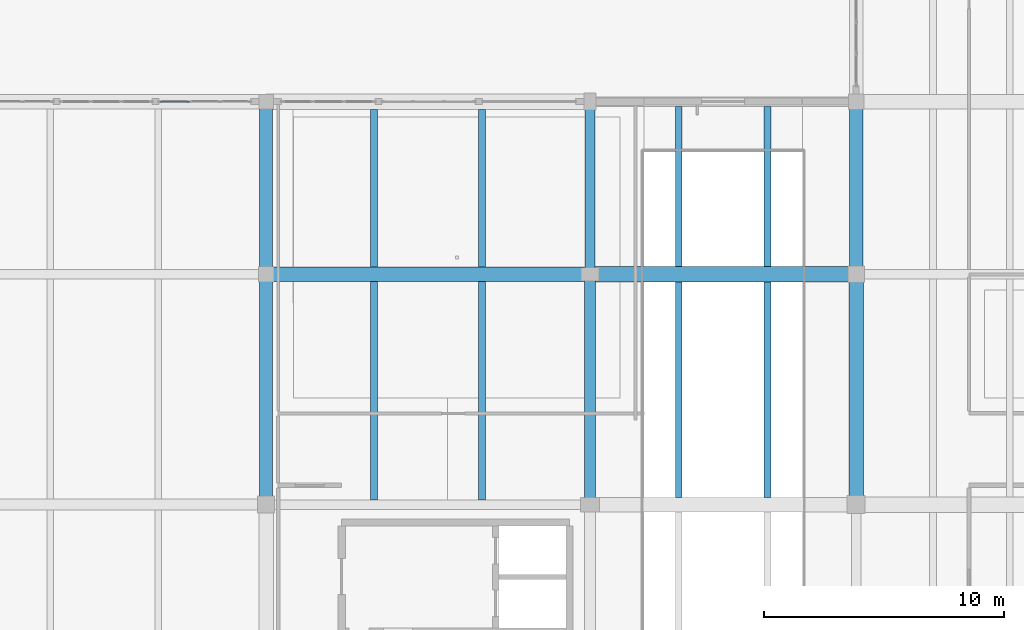
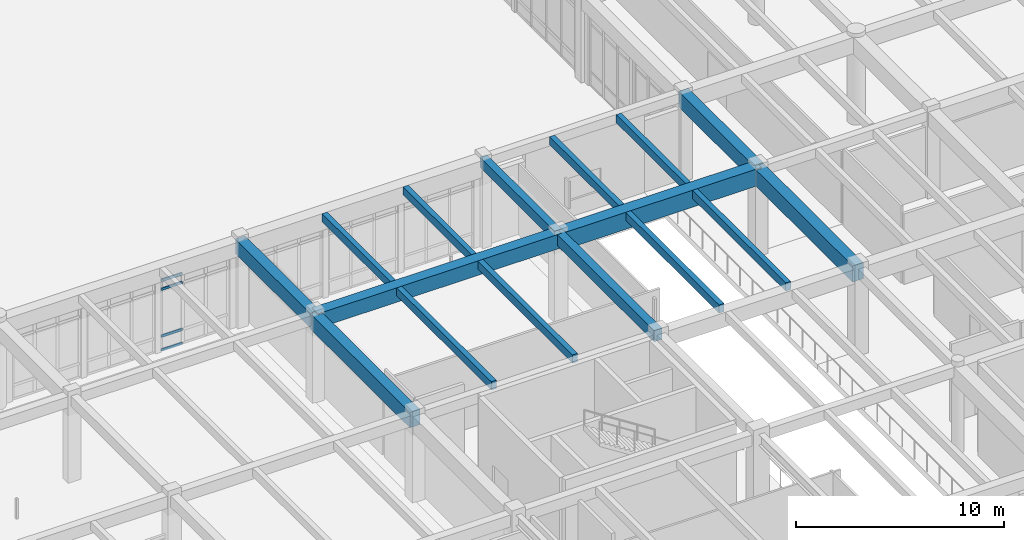
# One storey, part 24 of 138: 16 beams, 4 members, 1 element without a shape of its own.
"""IFC4 building model written with IfcOpenShell, lengths in metres."""

from ifc_helpers import new_model, si_unit, direction, frame, origin, origin_2d, place, context, subcontext, project, spatial, rectangle, hollow_rectangle, extrude, material, layer, layer_set, material_profile, profile_set, type_object, element, aggregate, save


model = new_model("IFC4")

# Units and contexts
model_context = context("Model", 3, precision=1e-05, world=origin(), true_north=direction((0.0, 1.0)))
body_context = subcontext(model_context, "Body", "Model", "MODEL_VIEW")
ifc_project = project(units=[si_unit("LENGTHUNIT", "METRE"), si_unit("AREAUNIT", "SQUARE_METRE"), si_unit("VOLUMEUNIT", "CUBIC_METRE"), si_unit("PLANEANGLEUNIT", "RADIAN"), si_unit("MASSUNIT", "GRAM", prefix="KILO")], contexts=[model_context])

# Site, building, storey
site_placement = place(None, origin())
site = spatial("IfcSite", under=ifc_project, at=site_placement, CompositionType="ELEMENT")
building_placement = place(site_placement, origin())
building = spatial("IfcBuilding", under=site, at=building_placement, Name="Fikremerkos Civic Library", CompositionType="ELEMENT")
storey_placement = place(building_placement, origin())
storey = spatial("IfcBuildingStorey", under=building, at=storey_placement, Name="L00", CompositionType="ELEMENT", Elevation=0.0)

# Curtain wall, members
ifc_material_1 = material(Name="Anodized aluminium Frame", Category="aluminium")
ifc_layer = layer(ifc_material_1, 0.159912109375, Name="Anodized aluminium Frame")
ifc_layer_set = layer_set([ifc_layer], Name="Anodized aluminium Frame")
curtain_wall_type = type_object("IfcCurtainWallType", Name="Unitised curtain wall CW-01 3600x3600", PredefinedType="USERDEFINED", material=ifc_layer_set)
curtain_wall_placement = place(storey_placement, origin())
curtain_wall = element("IfcCurtainWall", 1, at=curtain_wall_placement, inside=storey, type_object=curtain_wall_type, Name="Unitised curtain wall CW-01 L00 #19", ObjectType="UNITISED CURTAIN WALL", PredefinedType="USERDEFINED")
ifc_material_profile_1 = material_profile(ifc_material_1, hollow_rectangle(XDim=0.070068359375, YDim=0.14990234375, WallThickness=0.00439453125, at=origin_2d()), Name="ALU 150x70x4.5")
ifc_profile_set_1 = profile_set([ifc_material_profile_1], Name="Anodized aluminium Frame")
member_type = type_object("IfcMemberType", Name="Curtain transom CWT-01 ALU 150x70x4.5", PredefinedType="USERDEFINED", material=ifc_profile_set_1)
member_1_placement = place(storey_placement, frame((95.799072265625, 48.0, 0.034912109375), z_axis=(1.0, 0.0, 0.0), x_axis=(0.0, 1.0, 0.0)))
member_1 = element("IfcMember", 2, at=member_1_placement, type_object=member_type, Name="CW-01 transom 1.1", ObjectType="TRANSOM", PredefinedType="USERDEFINED", context=body_context, shape_type="SweptSolid", body=[
    extrude(hollow_rectangle(XDim=0.070068359375, YDim=0.14990234375, WallThickness=0.00439453125, at=origin_2d()), origin(), (0.0, 0.0, 1.0), 1.175048828125),
])
member_2_placement = place(storey_placement, frame((95.799072265625, 48.0, 0.85009765625), z_axis=(1.0, 0.0, 0.0), x_axis=(0.0, 1.0, 0.0)))
member_2 = element("IfcMember", 3, at=member_2_placement, type_object=member_type, Name="CW-01 transom 1.2", ObjectType="TRANSOM", PredefinedType="USERDEFINED", context=body_context, shape_type="SweptSolid", body=[
    extrude(hollow_rectangle(XDim=0.070068359375, YDim=0.14990234375, WallThickness=0.00439453125, at=origin_2d()), origin(), (0.0, 0.0, 1.0), 1.175048828125),
])
member_3_placement = place(storey_placement, frame((95.799072265625, 48.0, 3.60009765625), z_axis=(1.0, 0.0, 0.0), x_axis=(0.0, 1.0, 0.0)))
member_3 = element("IfcMember", 4, at=member_3_placement, type_object=member_type, Name="CW-01 transom 1.3", ObjectType="TRANSOM", PredefinedType="USERDEFINED", context=body_context, shape_type="SweptSolid", body=[
    extrude(hollow_rectangle(XDim=0.070068359375, YDim=0.14990234375, WallThickness=0.00439453125, at=origin_2d()), origin(), (0.0, 0.0, 1.0), 1.175048828125),
])
member_4_placement = place(storey_placement, frame((95.799072265625, 48.0, 4.114990234375), z_axis=(1.0, 0.0, 0.0), x_axis=(0.0, 1.0, 0.0)))
member_4 = element("IfcMember", 5, at=member_4_placement, type_object=member_type, Name="CW-01 transom 1.4", ObjectType="TRANSOM", PredefinedType="USERDEFINED", context=body_context, shape_type="SweptSolid", body=[
    extrude(hollow_rectangle(XDim=0.070068359375, YDim=0.14990234375, WallThickness=0.00439453125, at=origin_2d()), origin(), (0.0, 0.0, 1.0), 1.175048828125),
])
aggregate(curtain_wall, [member_1, member_2, member_3, member_4])

# Beams
ifc_material_2 = material(Name="Concrete C40/50", Category="concrete")
ifc_material_profile_2 = material_profile(ifc_material_2, rectangle(XDim=0.280029296875, YDim=0.47998046875, at=origin_2d()), Name="RC 280x480")
ifc_profile_set_2 = profile_set([ifc_material_profile_2], Name="Concrete C40/50")
beam_type_1 = type_object("IfcBeamType", Name="Floor joist JS-04 RC 280x480", PredefinedType="JOIST", material=ifc_profile_set_2)
for number, where, z_axis, x_axis, name in (
    (6, (104.699951171875, 31.39990234375, 4.919921875), (0.0, 1.0, 0.0), (-1.0, 0.0, 0.0), "Floor joist JS-04 L00 #338"),
    (7, (109.199951171875, 31.39990234375, 4.919921875), (0.0, 1.0, 0.0), (-1.0, 0.0, 0.0), "Floor joist JS-04 L00 #339"),
):
    element("IfcBeam", number, at=place(storey_placement, frame(where, z_axis=z_axis, x_axis=x_axis)), inside=storey, type_object=beam_type_1, Name=name, PredefinedType="JOIST", context=body_context, shape_type="SweptSolid", body=[
        extrude(rectangle(XDim=0.280029296875, YDim=0.47998046875, at=origin_2d()), origin(), (0.0, 0.0, 1.0), 9.10009765625),
    ])
for number, where, z_axis, x_axis, name in (
    (8, (104.699951171875, 41.10009765625, 4.919921875), (0.0, 1.0, 0.0), (-1.0, 0.0, 0.0), "Floor joist JS-04 L00 #340"),
    (9, (109.199951171875, 41.10009765625, 4.919921875), (0.0, 1.0, 0.0), (-1.0, 0.0, 0.0), "Floor joist JS-04 L00 #341"),
):
    element("IfcBeam", number, at=place(storey_placement, frame(where, z_axis=z_axis, x_axis=x_axis)), inside=storey, type_object=beam_type_1, Name=name, PredefinedType="JOIST", context=body_context, shape_type="SweptSolid", body=[
        extrude(rectangle(XDim=0.280029296875, YDim=0.47998046875, at=origin_2d()), origin(), (0.0, 0.0, 1.0), 6.574951171875),
    ])
for number, where, z_axis, x_axis, name in (
    (10, (117.39990234375, 31.5, 4.919921875), (0.0, 1.0, 0.0), (-1.0, 0.0, 0.0), "Floor joist JS-04 L00 #349"),
    (11, (121.10009765625, 31.5, 4.919921875), (0.0, 1.0, 0.0), (-1.0, 0.0, 0.0), "Floor joist JS-04 L00 #350"),
):
    element("IfcBeam", number, at=place(storey_placement, frame(where, z_axis=z_axis, x_axis=x_axis)), inside=storey, type_object=beam_type_1, Name=name, PredefinedType="JOIST", context=body_context, shape_type="SweptSolid", body=[
        extrude(rectangle(XDim=0.280029296875, YDim=0.47998046875, at=origin_2d()), origin(), (0.0, 0.0, 1.0), 8.97509765625),
    ])
for number, where, z_axis, x_axis, name in (
    (12, (117.39990234375, 41.125, 4.919921875), (0.0, 1.0, 0.0), (-1.0, 0.0, 0.0), "Floor joist JS-04 L00 #351"),
    (13, (121.10009765625, 41.125, 4.919921875), (0.0, 1.0, 0.0), (-1.0, 0.0, 0.0), "Floor joist JS-04 L00 #352"),
):
    element("IfcBeam", number, at=place(storey_placement, frame(where, z_axis=z_axis, x_axis=x_axis)), inside=storey, type_object=beam_type_1, Name=name, PredefinedType="JOIST", context=body_context, shape_type="SweptSolid", body=[
        extrude(rectangle(XDim=0.280029296875, YDim=0.47998046875, at=origin_2d()), origin(), (0.0, 0.0, 1.0), 6.675048828125),
    ])
ifc_material_profile_3 = material_profile(ifc_material_2, rectangle(XDim=0.60009765625, YDim=0.949951171875, at=origin_2d()), Name="RC 600x950")
ifc_profile_set_3 = profile_set([ifc_material_profile_3], Name="Concrete C40/50")
beam_type_2 = type_object("IfcBeamType", Name="Primary girder BM-01 RC 600x950", PredefinedType="BEAM", material=ifc_profile_set_3)
beam_1_placement = place(storey_placement, frame((124.800048828125, 31.199951171875, 4.625), z_axis=(0.0, 1.0, 0.0), x_axis=(-1.0, 0.0, 0.0)))
element("IfcBeam", 14, at=beam_1_placement, inside=storey, type_object=beam_type_2, Name="Primary girder BM-01 L00 grid 11", PredefinedType="BEAM", context=body_context, shape_type="SweptSolid", body=[
    extrude(rectangle(XDim=0.60009765625, YDim=0.949951171875, at=origin_2d()), origin(), (0.0, 0.0, 1.0), 9.60009765625),
])
ifc_material_profile_4 = material_profile(ifc_material_2, rectangle(XDim=0.550048828125, YDim=0.89990234375, at=origin_2d()), Name="RC 550x900")
ifc_profile_set_4 = profile_set([ifc_material_profile_4], Name="Concrete C40/50")
beam_type_3 = type_object("IfcBeamType", Name="Primary girder BM-02 RC 550x900", PredefinedType="BEAM", material=ifc_profile_set_4)
beam_2_placement = place(storey_placement, frame((100.199951171875, 31.199951171875, 4.64990234375), z_axis=(0.0, 1.0, 0.0), x_axis=(-1.0, 0.0, 0.0)))
element("IfcBeam", 15, at=beam_2_placement, inside=storey, type_object=beam_type_3, Name="Primary girder BM-02 L00 grid 9", PredefinedType="BEAM", context=body_context, shape_type="SweptSolid", body=[
    extrude(rectangle(XDim=0.550048828125, YDim=0.89990234375, at=origin_2d()), origin(), (0.0, 0.0, 1.0), 9.60009765625),
])
beam_3_placement = place(storey_placement, frame((124.800048828125, 40.800048828125, 4.7099609375), z_axis=(0.0, 1.0, 0.0), x_axis=(-1.0, 0.0, 0.0)))
element("IfcBeam", 16, at=beam_3_placement, inside=storey, type_object=beam_type_3, Name="Primary girder BM-02 L00 grid 11", PredefinedType="BEAM", context=body_context, shape_type="SweptSolid", body=[
    extrude(rectangle(XDim=0.550048828125, YDim=0.89990234375, at=origin_2d()), origin(), (0.0, 0.0, 1.0), 7.199951171875),
])
ifc_material_profile_5 = material_profile(ifc_material_2, rectangle(XDim=0.550048828125, YDim=0.85009765625, at=origin_2d()), Name="RC 550x850")
ifc_profile_set_5 = profile_set([ifc_material_profile_5], Name="Concrete C40/50")
beam_type_4 = type_object("IfcBeamType", Name="Primary girder BM-03 RC 550x850", PredefinedType="BEAM", material=ifc_profile_set_5)
beam_4_placement = place(storey_placement, frame((100.199951171875, 40.800048828125, 4.675048828125), z_axis=(0.0, 1.0, 0.0), x_axis=(-1.0, 0.0, 0.0)))
element("IfcBeam", 17, at=beam_4_placement, inside=storey, type_object=beam_type_4, Name="Primary girder BM-03 L00 grid 9", PredefinedType="BEAM", context=body_context, shape_type="SweptSolid", body=[
    extrude(rectangle(XDim=0.550048828125, YDim=0.85009765625, at=origin_2d()), origin(), (0.0, 0.0, 1.0), 7.199951171875),
])
ifc_material_profile_6 = material_profile(ifc_material_2, rectangle(XDim=0.449951171875, YDim=0.64990234375, at=origin_2d()), Name="RC 450x650")
ifc_profile_set_6 = profile_set([ifc_material_profile_6], Name="Concrete C40/50")
beam_type_5 = type_object("IfcBeamType", Name="Primary girder BM-07 RC 450x650", PredefinedType="BEAM", material=ifc_profile_set_6)
beam_5_placement = place(storey_placement, frame((113.699951171875, 31.199951171875, 4.8349609375), z_axis=(0.0, 1.0, 0.0), x_axis=(-1.0, 0.0, 0.0)))
element("IfcBeam", 18, at=beam_5_placement, inside=storey, type_object=beam_type_5, Name="Primary girder BM-07 L00 grid 10", PredefinedType="BEAM", context=body_context, shape_type="SweptSolid", body=[
    extrude(rectangle(XDim=0.449951171875, YDim=0.64990234375, at=origin_2d()), origin(), (0.0, 0.0, 1.0), 9.60009765625),
])
ifc_material_profile_7 = material_profile(ifc_material_2, rectangle(XDim=0.39990234375, YDim=0.60009765625, at=origin_2d()), Name="RC 400x600")
ifc_profile_set_7 = profile_set([ifc_material_profile_7], Name="Concrete C40/50")
beam_type_6 = type_object("IfcBeamType", Name="Primary girder BM-08 RC 400x600", PredefinedType="BEAM", material=ifc_profile_set_7)
beam_6_placement = place(storey_placement, frame((113.699951171875, 40.800048828125, 4.860107421875), z_axis=(0.0, 1.0, 0.0), x_axis=(-1.0, 0.0, 0.0)))
element("IfcBeam", 19, at=beam_6_placement, inside=storey, type_object=beam_type_6, Name="Primary girder BM-08 L00 grid 10", PredefinedType="BEAM", context=body_context, shape_type="SweptSolid", body=[
    extrude(rectangle(XDim=0.39990234375, YDim=0.60009765625, at=origin_2d()), origin(), (0.0, 0.0, 1.0), 7.199951171875),
])
ifc_material_profile_8 = material_profile(ifc_material_2, rectangle(XDim=0.60009765625, YDim=0.85009765625, at=origin_2d()), Name="RC 600x850")
ifc_profile_set_8 = profile_set([ifc_material_profile_8], Name="Concrete C40/50")
beam_type_7 = type_object("IfcBeamType", Name="Primary girder BM-24 RC 600x850", PredefinedType="BEAM", material=ifc_profile_set_8)
beam_7_placement = place(storey_placement, frame((100.199951171875, 40.800048828125, 4.735107421875), z_axis=(1.0, 0.0, 0.0), x_axis=(0.0, 1.0, 0.0)))
element("IfcBeam", 20, at=beam_7_placement, inside=storey, type_object=beam_type_7, Name="Primary girder BM-24 L00 grid H", PredefinedType="BEAM", context=body_context, shape_type="SweptSolid", body=[
    extrude(rectangle(XDim=0.60009765625, YDim=0.85009765625, at=origin_2d()), origin(), (0.0, 0.0, 1.0), 13.5),
])
ifc_material_3 = material(Name="Concrete C45/55", Category="concrete")
ifc_material_profile_9 = material_profile(ifc_material_3, rectangle(XDim=0.64990234375, YDim=1.0, at=origin_2d()), Name="RC 650x1000")
ifc_profile_set_9 = profile_set([ifc_material_profile_9], Name="Concrete C45/55")
beam_type_8 = type_object("IfcBeamType", Name="Primary girder BM-25 RC 650x1000", PredefinedType="BEAM", material=ifc_profile_set_9)
beam_8_placement = place(storey_placement, frame((113.699951171875, 40.800048828125, 4.659912109375), z_axis=(1.0, 0.0, 0.0), x_axis=(0.0, 1.0, 0.0)))
element("IfcBeam", 21, at=beam_8_placement, inside=storey, type_object=beam_type_8, Name="Primary girder BM-25 L00 grid H", PredefinedType="BEAM", context=body_context, shape_type="SweptSolid", body=[
    extrude(rectangle(XDim=0.64990234375, YDim=1.0, at=origin_2d()), origin(), (0.0, 0.0, 1.0), 11.10009765625),
])

save(model, "model.ifc")
